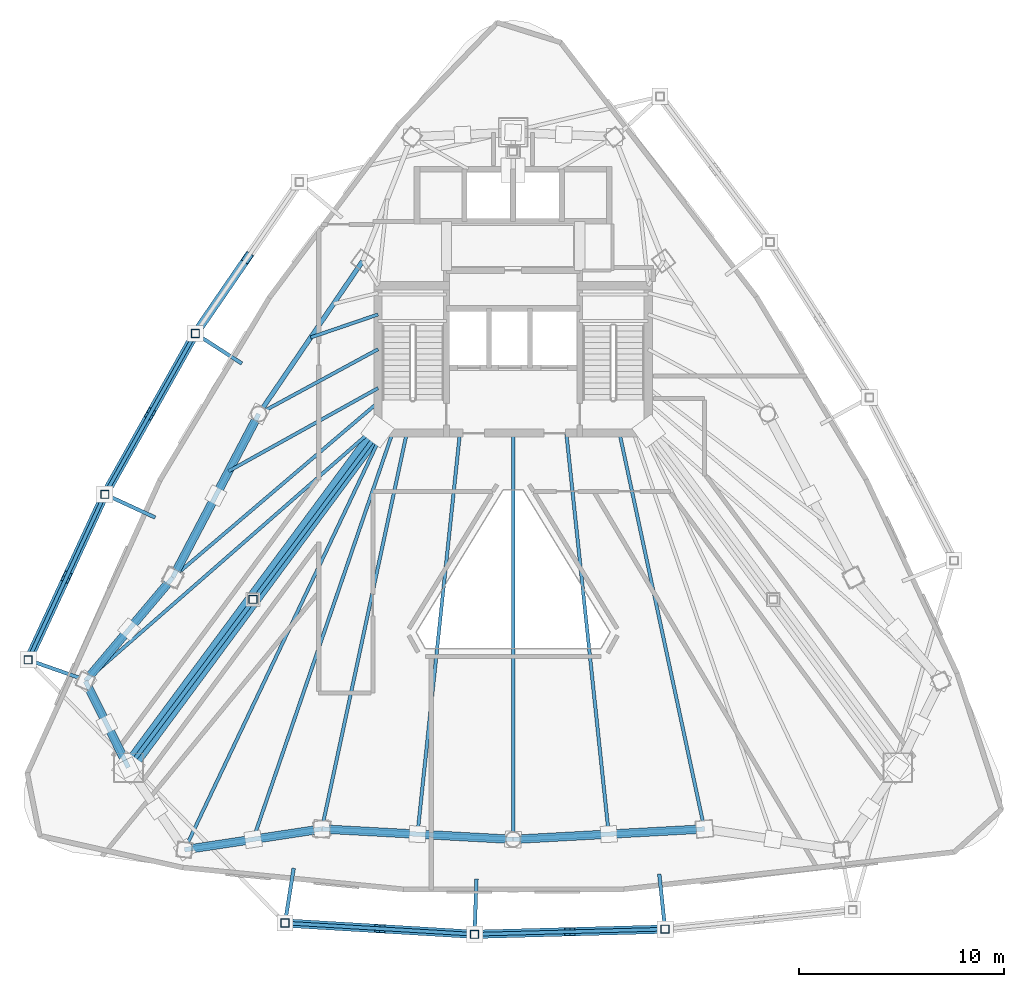
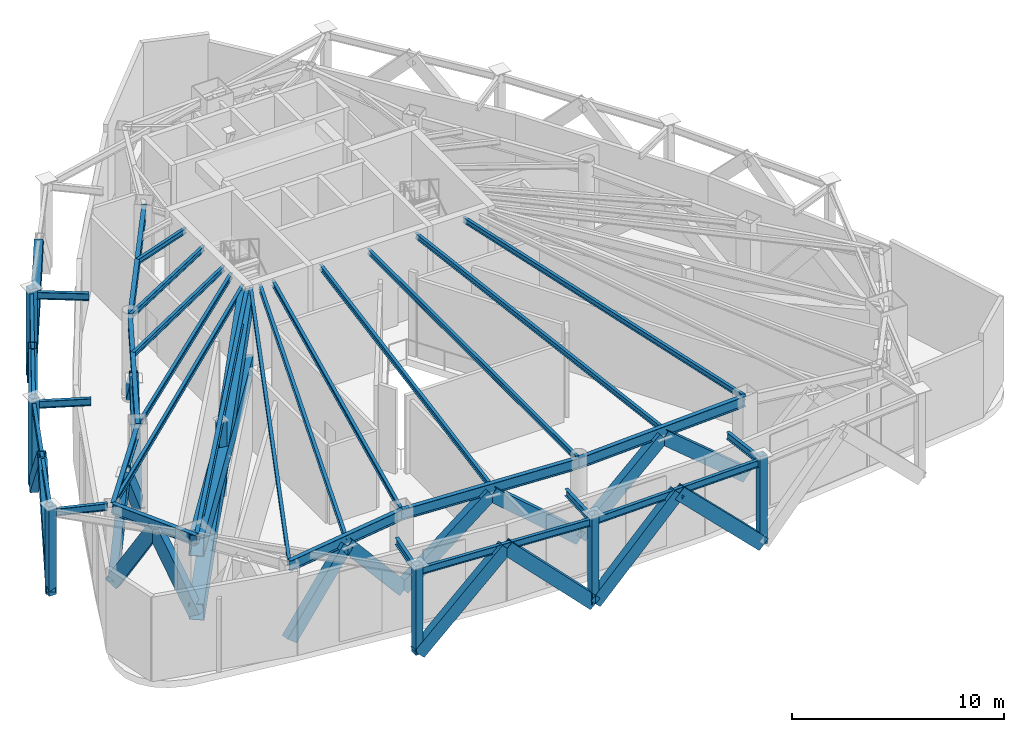
# One storey, part 2 of 10: 30 beams, 30 members.
"""IFC4 building model written with IfcOpenShell, lengths in metres."""

from ifc_helpers import new_model, si_unit, direction, frame, origin, origin_2d, place, context, subcontext, project, spatial, hollow_rectangle, i_section, extrude, material, material_profile, profile_set, type_object, element, save


model = new_model("IFC4")

# Units and contexts
model_context = context("Model", 3, precision=1e-05, world=origin(), true_north=direction((0.0, 1.0)))
body_context = subcontext(model_context, "Body", "Model", "MODEL_VIEW")
ifc_project = project(units=[si_unit("LENGTHUNIT", "METRE"), si_unit("AREAUNIT", "SQUARE_METRE"), si_unit("VOLUMEUNIT", "CUBIC_METRE"), si_unit("PLANEANGLEUNIT", "RADIAN"), si_unit("MASSUNIT", "GRAM", prefix="KILO")], contexts=[model_context])

# Site, building, storey
site_placement = place(None, origin())
site = spatial("IfcSite", under=ifc_project, at=site_placement, CompositionType="ELEMENT")
building_placement = place(site_placement, origin())
building = spatial("IfcBuilding", under=site, at=building_placement, Name="Orvanel Arch Residences", CompositionType="ELEMENT")
storey_placement = place(building_placement, frame((0.0, 0.0, 191.300048828125)))
storey = spatial("IfcBuildingStorey", under=building, at=storey_placement, Name="L54", CompositionType="ELEMENT", Elevation=191.300048828125)

# Beams
ifc_material_1 = material(Name="Structural steel AS/NZS 3679.1 Grade 300 (300 MPa)", Category="steel")
ifc_material_profile_1 = material_profile(ifc_material_1, i_section(OverallWidth=0.208984375, OverallDepth=0.532958984375, WebThickness=0.01025390625, FlangeThickness=0.015625, at=origin_2d()), Name="530UB92.4")
ifc_profile_set_1 = profile_set([ifc_material_profile_1], Name="Structural steel AS/NZS 3679.1 Grade 300 (300 MPa)")
beam_type_1 = type_object("IfcBeamType", Name="BG-530UB", PredefinedType="BEAM", material=ifc_profile_set_1)
beam_1_placement = place(storey_placement, frame((26.375, 26.675048828125, 4.593017578125), z_axis=(-0.597893733742, -0.801575375839, 0.0), x_axis=(0.801575375839, -0.597893733742, 0.0)))
element("IfcBeam", 1, at=beam_1_placement, inside=storey, type_object=beam_type_1, Name="L54 South-West Radial Girder", PredefinedType="BEAM", context=body_context, shape_type="SweptSolid", body=[
    extrude(i_section(OverallWidth=0.208984375, OverallDepth=0.532958984375, WebThickness=0.01025390625, FlangeThickness=0.015625, at=origin_2d()), origin(), (0.0, 0.0, 1.0), 20.36474609375),
])
ifc_material_profile_2 = material_profile(ifc_material_1, i_section(OverallWidth=0.1650390625, OverallDepth=0.303955078125, WebThickness=0.006103515625, FlangeThickness=0.01025390625, at=origin_2d()), Name="310UB40.4")
ifc_profile_set_2 = profile_set([ifc_material_profile_2], Name="Structural steel AS/NZS 3679.1 Grade 300 (300 MPa)")
beam_type_2 = type_object("IfcBeamType", Name="BJ-310UB", PredefinedType="JOIST", material=ifc_profile_set_2)
beam_2_placement = place(storey_placement, frame((26.39990234375, 30.800048828125, 4.7080078125), z_axis=(-0.87925534649, -0.476350748576, 0.0), x_axis=(0.476350748576, -0.87925534649, 0.0)))
element("IfcBeam", 2, at=beam_2_placement, inside=storey, type_object=beam_type_2, Name="L54 NW Wing Floor Joist", PredefinedType="JOIST", context=body_context, shape_type="SweptSolid", body=[
    extrude(i_section(OverallWidth=0.1650390625, OverallDepth=0.303955078125, WebThickness=0.006103515625, FlangeThickness=0.01025390625, at=origin_2d()), origin(), (0.0, 0.0, 1.0), 6.631591796875),
])
beam_3_placement = place(storey_placement, frame((26.39990234375, 28.199951171875, 4.7080078125), z_axis=(-0.760821315761, -0.648961420644, 0.0), x_axis=(0.648961420644, -0.760821315761, 0.0)))
element("IfcBeam", 3, at=beam_3_placement, inside=storey, type_object=beam_type_2, Name="L54 W Wing Floor Joist", PredefinedType="JOIST", context=body_context, shape_type="SweptSolid", body=[
    extrude(i_section(OverallWidth=0.1650390625, OverallDepth=0.303955078125, WebThickness=0.006103515625, FlangeThickness=0.01025390625, at=origin_2d()), origin(), (0.0, 0.0, 1.0), 13.18701171875),
])
for number, where, z_axis, x_axis, name in (
    (4, (27.800048828125, 26.699951171875, 4.7080078125), (-0.209808012425, -0.977742603103, 0.0), (0.977742603103, -0.209808012425, 0.0), "L54 SW Wing Floor Joist"),
    (5, (38.199951171875, 26.699951171875, 4.7080078125), (0.209808012425, -0.977742603103, 0.0), (0.977742603103, 0.209808012425, 0.0), "L54 SE Wing Floor Joist"),
):
    element("IfcBeam", number, at=place(storey_placement, frame(where, z_axis=z_axis, x_axis=x_axis)), inside=storey, type_object=beam_type_2, Name=name, PredefinedType="JOIST", context=body_context, shape_type="SweptSolid", body=[
        extrude(i_section(OverallWidth=0.1650390625, OverallDepth=0.303955078125, WebThickness=0.006103515625, FlangeThickness=0.01025390625, at=origin_2d()), origin(), (0.0, 0.0, 1.0), 19.785400390625),
    ])
beam_4_placement = place(storey_placement, frame((33.0, 26.699951171875, 4.7080078125), z_axis=(0.0, -1.0, 0.0), x_axis=(1.0, 0.0, 0.0)))
element("IfcBeam", 6, at=beam_4_placement, inside=storey, type_object=beam_type_2, Name="L54 SSW Wing Floor Joist", PredefinedType="JOIST", context=body_context, shape_type="SweptSolid", body=[
    extrude(i_section(OverallWidth=0.1650390625, OverallDepth=0.303955078125, WebThickness=0.006103515625, FlangeThickness=0.01025390625, at=origin_2d()), origin(), (0.0, 0.0, 1.0), 19.85595703125),
])
beam_5_placement = place(storey_placement, frame((26.39990234375, 32.5, 4.7080078125), z_axis=(-0.946441958332, -0.322873999431, 0.0), x_axis=(0.322873999431, -0.946441958332, 0.0)))
element("IfcBeam", 7, at=beam_5_placement, inside=storey, type_object=beam_type_2, Name="L54 WNW Wing Floor Joist", PredefinedType="JOIST", context=body_context, shape_type="SweptSolid", body=[
    extrude(i_section(OverallWidth=0.1650390625, OverallDepth=0.303955078125, WebThickness=0.006103515625, FlangeThickness=0.01025390625, at=origin_2d()), origin(), (0.0, 0.0, 1.0), 3.478271484375),
])
for number, where, z_axis, x_axis, name in (
    (8, (30.39990234375, 26.699951171875, 4.7080078125), (-0.105277340935, -0.994442900063, 0.0), (0.994442900063, -0.105277340935, 0.0), "L54 WSW2 Wing Floor Joist"),
    (9, (35.60009765625, 26.699951171875, 4.7080078125), (0.105277340935, -0.994442900063, 0.0), (0.994442900063, 0.105277340935, 0.0), "L54 ESE2 Wing Floor Joist"),
):
    element("IfcBeam", number, at=place(storey_placement, frame(where, z_axis=z_axis, x_axis=x_axis)), inside=storey, type_object=beam_type_2, Name=name, PredefinedType="JOIST", context=body_context, shape_type="SweptSolid", body=[
        extrude(i_section(OverallWidth=0.1650390625, OverallDepth=0.303955078125, WebThickness=0.006103515625, FlangeThickness=0.01025390625, at=origin_2d()), origin(), (0.0, 0.0, 1.0), 19.70947265625),
    ])
beam_6_placement = place(storey_placement, frame((26.39990234375, 27.10009765625, 4.7080078125), z_axis=(-0.752493154183, -0.658600070534, 0.0), x_axis=(0.658600070534, -0.752493154183, 0.0)))
element("IfcBeam", 10, at=beam_6_placement, inside=storey, type_object=beam_type_2, Name="L54 MW Wing Floor Joist", PredefinedType="JOIST", context=body_context, shape_type="SweptSolid", body=[
    extrude(i_section(OverallWidth=0.1650390625, OverallDepth=0.303955078125, WebThickness=0.006103515625, FlangeThickness=0.01025390625, at=origin_2d()), origin(), (0.0, 0.0, 1.0), 19.010009765625),
])
beam_7_placement = place(storey_placement, frame((26.60009765625, 26.699951171875, 4.7080078125), z_axis=(-0.428614365266, -0.903487534993, 0.0), x_axis=(0.903487534993, -0.428614365266, 0.0)))
element("IfcBeam", 11, at=beam_7_placement, inside=storey, type_object=beam_type_2, Name="L54 MSW Wing Floor Joist", PredefinedType="JOIST", context=body_context, shape_type="SweptSolid", body=[
    extrude(i_section(OverallWidth=0.1650390625, OverallDepth=0.303955078125, WebThickness=0.006103515625, FlangeThickness=0.01025390625, at=origin_2d()), origin(), (0.0, 0.0, 1.0), 22.535888671875),
])
beam_8_placement = place(storey_placement, frame((26.39990234375, 28.89990234375, 4.7080078125), z_axis=(-0.87404697606, -0.485841418202, 0.0), x_axis=(0.485841418202, -0.87404697606, 0.0)))
element("IfcBeam", 12, at=beam_8_placement, inside=storey, type_object=beam_type_2, Name="L54 CTW Wing Floor Joist", PredefinedType="JOIST", context=body_context, shape_type="SweptSolid", body=[
    extrude(i_section(OverallWidth=0.1650390625, OverallDepth=0.303955078125, WebThickness=0.006103515625, FlangeThickness=0.01025390625, at=origin_2d()), origin(), (0.0, 0.0, 1.0), 8.354248046875),
])
beam_9_placement = place(storey_placement, frame((27.10009765625, 26.699951171875, 4.7080078125), z_axis=(-0.324257108963, -0.945968988544, 0.0), x_axis=(0.945968988544, -0.324257108963, 0.0)))
element("IfcBeam", 13, at=beam_9_placement, inside=storey, type_object=beam_type_2, Name="L54 JADD1 Wing Floor Joist", PredefinedType="JOIST", context=body_context, shape_type="SweptSolid", body=[
    extrude(i_section(OverallWidth=0.1650390625, OverallDepth=0.303955078125, WebThickness=0.006103515625, FlangeThickness=0.01025390625, at=origin_2d()), origin(), (0.0, 0.0, 1.0), 20.987060546875),
])

# Members
ifc_material_2 = material(Name="Structural steel AS/NZS 3678 Grade 350", Category="steel")
ifc_material_profile_3 = material_profile(ifc_material_2, hollow_rectangle(XDim=0.419921875, YDim=0.719970703125, WallThickness=0.02490234375, at=origin_2d()), Name="RHS720x420x25")
ifc_profile_set_3 = profile_set([ifc_material_profile_3], Name="Structural steel AS/NZS 3678 Grade 350")
member_type_1 = type_object("IfcMemberType", Name="BR-720RHS", PredefinedType="BRACE", material=ifc_profile_set_3)
for number, where, z_axis, x_axis, name in (
    (14, (16.366943359375, 19.64208984375, 0.300048828125), (-0.410701245615, -0.486654453456, 0.771033027686), (0.764224490659, -0.644950329775, 0.0), "L54 Belt-Truss Chevron 01.1"),
    (15, (12.094970703125, 14.580078125, 0.300048828125), (0.410701245615, 0.486654453456, 0.771033027686), (-0.764224490659, 0.644950329775, 0.0), "L54 Belt-Truss Chevron 01.2"),
):
    element("IfcMember", number, at=place(storey_placement, frame(where, z_axis=z_axis, x_axis=x_axis)), inside=storey, type_object=member_type_1, Name=name, PredefinedType="BRACE", context=body_context, shape_type="SweptSolid", body=[
        extrude(hollow_rectangle(XDim=0.419921875, YDim=0.719970703125, WallThickness=0.02490234375, at=origin_2d()), origin(), (0.0, 0.0, 1.0), 5.200927734375),
    ])
member_1_placement = place(storey_placement, frame((12.094970703125, 14.580078125, 0.300048828125), z_axis=(0.226062238647, -0.454275452413, 0.861701617494), x_axis=(0.895273400092, 0.44551715914, 0.0)))
element("IfcMember", 16, at=member_1_placement, inside=storey, type_object=member_type_1, Name="L54 Belt-Truss Chevron 02.1", PredefinedType="BRACE", context=body_context, shape_type="SweptSolid", body=[
    extrude(hollow_rectangle(XDim=0.419921875, YDim=0.719970703125, WallThickness=0.02490234375, at=origin_2d()), origin(), (0.0, 0.0, 1.0), 4.653564453125),
])
member_2_placement = place(storey_placement, frame((14.198974609375, 10.35107421875, 0.300048828125), z_axis=(-0.22604068618, 0.454441973631, 0.861619464029), x_axis=(-0.89535544198, -0.445352256665, 0.0)))
element("IfcMember", 17, at=member_2_placement, inside=storey, type_object=member_type_1, Name="L54 Belt-Truss Chevron 02.2", PredefinedType="BRACE", context=body_context, shape_type="SweptSolid", body=[
    extrude(hollow_rectangle(XDim=0.419921875, YDim=0.719970703125, WallThickness=0.02490234375, at=origin_2d()), origin(), (0.0, 0.0, 1.0), 4.654052734375),
])
for number, where, z_axis, x_axis, name in (
    (18, (16.94091796875, 6.339111328125, 0.300048828125), (0.6385695785, 0.096682539182, 0.763466685607), (-0.149698779423, 0.988731649862, 0.0), "L54 Belt-Truss Chevron 04.1"),
    (19, (23.64892578125, 7.35498046875, 0.300048828125), (-0.6385667081, -0.09672858637, 0.763463253788), (0.149769136012, -0.988720994972, 0.0), "L54 Belt-Truss Chevron 04.2"),
):
    element("IfcMember", number, at=place(storey_placement, frame(where, z_axis=z_axis, x_axis=x_axis)), inside=storey, type_object=member_type_1, Name=name, PredefinedType="BRACE", context=body_context, shape_type="SweptSolid", body=[
        extrude(hollow_rectangle(XDim=0.419921875, YDim=0.719970703125, WallThickness=0.02490234375, at=origin_2d()), origin(), (0.0, 0.0, 1.0), 5.25244140625),
    ])
member_3_placement = place(storey_placement, frame((23.64892578125, 7.35498046875, 0.300048828125), z_axis=(0.758448132413, -0.041341818527, 0.650420851819), x_axis=(0.054427635214, 0.998517717682, 0.0)))
element("IfcMember", 20, at=member_3_placement, inside=storey, type_object=member_type_1, Name="L54 Belt-Truss Chevron 05.1", PredefinedType="BRACE", context=body_context, shape_type="SweptSolid", body=[
    extrude(hollow_rectangle(XDim=0.419921875, YDim=0.719970703125, WallThickness=0.02490234375, at=origin_2d()), origin(), (0.0, 0.0, 1.0), 6.165283203125),
])
for number, where, z_axis, x_axis, name in (
    (21, (33.0, 6.843994140625, 0.300048828125), (-0.758374615755, 0.041544465608, 0.650493658352), (-0.054698915632, -0.998502893651, 0.0), "L54 Belt-Truss Chevron 05.2"),
    (22, (33.0, 6.843994140625, 0.300048828125), (0.758374615755, 0.041544465608, 0.650493658352), (-0.054698915632, 0.998502893651, 0.0), "L54 Belt-Truss Chevron 06.1"),
):
    element("IfcMember", number, at=place(storey_placement, frame(where, z_axis=z_axis, x_axis=x_axis)), inside=storey, type_object=member_type_1, Name=name, PredefinedType="BRACE", context=body_context, shape_type="SweptSolid", body=[
        extrude(hollow_rectangle(XDim=0.419921875, YDim=0.719970703125, WallThickness=0.02490234375, at=origin_2d()), origin(), (0.0, 0.0, 1.0), 6.16455078125),
    ])
member_4_placement = place(storey_placement, frame((42.35107421875, 7.35498046875, 0.300048828125), z_axis=(-0.758448132413, -0.041341818527, 0.650420851819), x_axis=(0.054427635214, -0.998517717682, 0.0)))
element("IfcMember", 23, at=member_4_placement, inside=storey, type_object=member_type_1, Name="L54 Belt-Truss Chevron 06.2", PredefinedType="BRACE", context=body_context, shape_type="SweptSolid", body=[
    extrude(hollow_rectangle(XDim=0.419921875, YDim=0.719970703125, WallThickness=0.02490234375, at=origin_2d()), origin(), (0.0, 0.0, 1.0), 6.165283203125),
])
member_5_placement = place(storey_placement, frame((20.569091796875, 27.64111328125, 0.300048828125), z_axis=(-0.347834801435, -0.662042069196, 0.66386086609), x_axis=(0.885253281653, -0.465109263853, 0.0)))
element("IfcMember", 24, at=member_5_placement, inside=storey, type_object=member_type_1, Name="L54 Belt-Truss Chevron 18.1", PredefinedType="BRACE", context=body_context, shape_type="SweptSolid", body=[
    extrude(hollow_rectangle(XDim=0.419921875, YDim=0.719970703125, WallThickness=0.02490234375, at=origin_2d()), origin(), (0.0, 0.0, 1.0), 6.04052734375),
])
member_6_placement = place(storey_placement, frame((16.366943359375, 19.64208984375, 0.300048828125), z_axis=(0.347797573101, 0.662132865174, 0.663789813873), x_axis=(-0.885300033521, 0.465020269072, 0.0)))
element("IfcMember", 25, at=member_6_placement, inside=storey, type_object=member_type_1, Name="L54 Belt-Truss Chevron 18.2", PredefinedType="BRACE", context=body_context, shape_type="SweptSolid", body=[
    extrude(hollow_rectangle(XDim=0.419921875, YDim=0.719970703125, WallThickness=0.02490234375, at=origin_2d()), origin(), (0.0, 0.0, 1.0), 6.041015625),
])
ifc_material_profile_4 = material_profile(ifc_material_2, hollow_rectangle(XDim=0.419921875, YDim=0.719970703125, WallThickness=0.02490234375, at=origin_2d()), Name="RHS720x420x25")
ifc_profile_set_4 = profile_set([ifc_material_profile_4], Name="Structural steel AS/NZS 3678 Grade 350")
member_type_2 = type_object("IfcMemberType", Name="BR-720RHS-EXT", PredefinedType="BRACE", material=ifc_profile_set_4)
member_7_placement = place(storey_placement, frame((17.467041015625, 31.569091796875, 0.0), z_axis=(0.393179947438, 0.572148516603, 0.719760796294), x_axis=(-0.824157677883, 0.566360417037, 0.0)))
element("IfcMember", 26, at=member_7_placement, inside=storey, type_object=member_type_2, Name="L54 Exterior Sky-Garden V-Frame Chevron F1B1.2", PredefinedType="BRACE", context=body_context, shape_type="SweptSolid", body=[
    extrude(hollow_rectangle(XDim=0.419921875, YDim=0.719970703125, WallThickness=0.02490234375, at=origin_2d()), origin(), (0.0, 0.0, 1.0), 6.47021484375),
])
member_8_placement = place(storey_placement, frame((17.467041015625, 31.569091796875, 0.0), z_axis=(-0.340932567299, -0.606311585106, 0.718436668275), x_axis=(0.871647829885, -0.490132696988, 0.0)))
element("IfcMember", 27, at=member_8_placement, inside=storey, type_object=member_type_2, Name="L54 Exterior Sky-Garden V-Frame Chevron F1B2.1", PredefinedType="BRACE", context=body_context, shape_type="SweptSolid", body=[
    extrude(hollow_rectangle(XDim=0.419921875, YDim=0.719970703125, WallThickness=0.02490234375, at=origin_2d()), origin(), (0.0, 0.0, 1.0), 6.482177734375),
])
member_9_placement = place(storey_placement, frame((13.047119140625, 23.7099609375, 0.0), z_axis=(0.34097149558, 0.606192474411, 0.71851870064), x_axis=(-0.87158276896, 0.490248382814, 0.0)))
element("IfcMember", 28, at=member_9_placement, inside=storey, type_object=member_type_2, Name="L54 Exterior Sky-Garden V-Frame Chevron F1B2.2", PredefinedType="BRACE", context=body_context, shape_type="SweptSolid", body=[
    extrude(hollow_rectangle(XDim=0.419921875, YDim=0.719970703125, WallThickness=0.02490234375, at=origin_2d()), origin(), (0.0, 0.0, 1.0), 6.4814453125),
])
member_10_placement = place(storey_placement, frame((13.047119140625, 23.7099609375, 0.0), z_axis=(-0.290636590557, -0.627617525413, 0.722237228357), x_axis=(0.907426707299, -0.420210388829, 0.0)))
element("IfcMember", 29, at=member_10_placement, inside=storey, type_object=member_type_2, Name="L54 Exterior Sky-Garden V-Frame Chevron F1B3.1", PredefinedType="BRACE", context=body_context, shape_type="SweptSolid", body=[
    extrude(hollow_rectangle(XDim=0.419921875, YDim=0.719970703125, WallThickness=0.02490234375, at=origin_2d()), origin(), (0.0, 0.0, 1.0), 6.447998046875),
])
member_11_placement = place(storey_placement, frame((9.299072265625, 15.616943359375, 0.0), z_axis=(0.290657310524, 0.627548672136, 0.722288717854), x_axis=(-0.907397701574, 0.420273019808, 0.0)))
element("IfcMember", 30, at=member_11_placement, inside=storey, type_object=member_type_2, Name="L54 Exterior Sky-Garden V-Frame Chevron F1B3.2", PredefinedType="BRACE", context=body_context, shape_type="SweptSolid", body=[
    extrude(hollow_rectangle(XDim=0.419921875, YDim=0.719970703125, WallThickness=0.02490234375, at=origin_2d()), origin(), (0.0, 0.0, 1.0), 6.447509765625),
])
member_12_placement = place(storey_placement, frame((21.85107421875, 2.758056640625, 0.0), z_axis=(0.704567615552, -0.042002212376, 0.708392750719), x_axis=(0.059508519881, 0.99822779768, 0.0)))
element("IfcMember", 31, at=member_12_placement, inside=storey, type_object=member_type_2, Name="L54 Exterior Sky-Garden V-Frame Chevron F2B1.1", PredefinedType="BRACE", context=body_context, shape_type="SweptSolid", body=[
    extrude(hollow_rectangle(XDim=0.419921875, YDim=0.719970703125, WallThickness=0.02490234375, at=origin_2d()), origin(), (0.0, 0.0, 1.0), 6.573974609375),
])
member_13_placement = place(storey_placement, frame((31.115966796875, 2.205078125, 0.0), z_axis=(-0.704657804903, 0.042107917519, 0.708296760738), x_axis=(-0.059650141601, -0.998219344937, 0.0)))
element("IfcMember", 32, at=member_13_placement, inside=storey, type_object=member_type_2, Name="L54 Exterior Sky-Garden V-Frame Chevron F2B1.2", PredefinedType="BRACE", context=body_context, shape_type="SweptSolid", body=[
    extrude(hollow_rectangle(XDim=0.419921875, YDim=0.719970703125, WallThickness=0.02490234375, at=origin_2d()), origin(), (0.0, 0.0, 1.0), 6.574951171875),
])
member_14_placement = place(storey_placement, frame((31.115966796875, 2.205078125, 0.0), z_axis=(0.706903293221, 0.019126532395, 0.707051560914), x_axis=(-0.027046889499, 0.999634165967, 0.0)))
element("IfcMember", 33, at=member_14_placement, inside=storey, type_object=member_type_2, Name="L54 Exterior Sky-Garden V-Frame Chevron F2B2.1", PredefinedType="BRACE", context=body_context, shape_type="SweptSolid", body=[
    extrude(hollow_rectangle(XDim=0.419921875, YDim=0.719970703125, WallThickness=0.02490234375, at=origin_2d()), origin(), (0.0, 0.0, 1.0), 6.58642578125),
])
member_15_placement = place(storey_placement, frame((40.427001953125, 2.45703125, 0.0), z_axis=(-0.70682910505, -0.019128537169, 0.707125671518), x_axis=(0.027052559421, -0.999634012541, 0.0)))
element("IfcMember", 34, at=member_15_placement, inside=storey, type_object=member_type_2, Name="L54 Exterior Sky-Garden V-Frame Chevron F2B2.2", PredefinedType="BRACE", context=body_context, shape_type="SweptSolid", body=[
    extrude(hollow_rectangle(XDim=0.419921875, YDim=0.719970703125, WallThickness=0.02490234375, at=origin_2d()), origin(), (0.0, 0.0, 1.0), 6.585693359375),
])

# Beams
ifc_material_profile_5 = material_profile(ifc_material_1, i_section(OverallWidth=0.177978515625, OverallDepth=0.406005859375, WebThickness=0.0078125, FlangeThickness=0.0126953125, at=origin_2d()), Name="410UB59.7")
ifc_profile_set_5 = profile_set([ifc_material_profile_5], Name="Structural steel AS/NZS 3679.1 Grade 300 (300 MPa)")
beam_type_3 = type_object("IfcBeamType", Name="OB-410UB-EXT", PredefinedType="SPANDREL", material=ifc_profile_set_5)
beam_10_placement = place(storey_placement, frame((19.740966796875, 30.10107421875, 4.656982421875), z_axis=(-0.840133572131, 0.542379554351, 0.0), x_axis=(-0.542379554351, -0.840133572131, 0.0)))
element("IfcBeam", 35, at=beam_10_placement, inside=storey, type_object=beam_type_3, Name="L54 Outer Frame Radial Tie Beam 02", PredefinedType="SPANDREL", context=body_context, shape_type="SweptSolid", body=[
    extrude(i_section(OverallWidth=0.177978515625, OverallDepth=0.406005859375, WebThickness=0.0078125, FlangeThickness=0.0126953125, at=origin_2d()), origin(), (0.0, 0.0, 1.0), 2.70654296875),
])
beam_11_placement = place(storey_placement, frame((17.467041015625, 31.569091796875, 4.656982421875), z_axis=(-0.490190534155, -0.87161530518, 0.0), x_axis=(0.87161530518, -0.490190534155, 0.0)))
element("IfcBeam", 36, at=beam_11_placement, inside=storey, type_object=beam_type_3, Name="L54 Outer Perimeter Floor Ring Beam 02", PredefinedType="SPANDREL", context=body_context, shape_type="SweptSolid", body=[
    extrude(i_section(OverallWidth=0.177978515625, OverallDepth=0.406005859375, WebThickness=0.0078125, FlangeThickness=0.0126953125, at=origin_2d()), origin(), (0.0, 0.0, 1.0), 9.016845703125),
])
beam_12_placement = place(storey_placement, frame((15.510009765625, 22.573974609375, 4.656982421875), z_axis=(-0.908062104995, 0.418835544661, 0.0), x_axis=(-0.418835544661, -0.908062104995, 0.0)))
element("IfcBeam", 37, at=beam_12_placement, inside=storey, type_object=beam_type_3, Name="L54 Outer Frame Radial Tie Beam 03", PredefinedType="SPANDREL", context=body_context, shape_type="SweptSolid", body=[
    extrude(i_section(OverallWidth=0.177978515625, OverallDepth=0.406005859375, WebThickness=0.0078125, FlangeThickness=0.0126953125, at=origin_2d()), origin(), (0.0, 0.0, 1.0), 2.712158203125),
])
beam_13_placement = place(storey_placement, frame((13.047119140625, 23.7099609375, 4.656982421875), z_axis=(-0.420241702235, -0.907412206058, 0.0), x_axis=(0.907412206058, -0.420241702235, 0.0)))
element("IfcBeam", 38, at=beam_13_placement, inside=storey, type_object=beam_type_3, Name="L54 Outer Perimeter Floor Ring Beam 03", PredefinedType="SPANDREL", context=body_context, shape_type="SweptSolid", body=[
    extrude(i_section(OverallWidth=0.177978515625, OverallDepth=0.406005859375, WebThickness=0.0078125, FlangeThickness=0.0126953125, at=origin_2d()), origin(), (0.0, 0.0, 1.0), 8.918701171875),
])
beam_14_placement = place(storey_placement, frame((11.8720703125, 14.716064453125, 4.656982421875), z_axis=(-0.94382065333, 0.33045812798, 0.0), x_axis=(-0.33045812798, -0.94382065333, 0.0)))
element("IfcBeam", 39, at=beam_14_placement, inside=storey, type_object=beam_type_3, Name="L54 Outer Frame Radial Tie Beam 04", PredefinedType="SPANDREL", context=body_context, shape_type="SweptSolid", body=[
    extrude(i_section(OverallWidth=0.177978515625, OverallDepth=0.406005859375, WebThickness=0.0078125, FlangeThickness=0.0126953125, at=origin_2d()), origin(), (0.0, 0.0, 1.0), 2.72607421875),
])
beam_15_placement = place(storey_placement, frame((22.27490234375, 5.43798828125, 4.656982421875), z_axis=(-0.156207463616, -0.987724267349, 0.0), x_axis=(0.987724267349, -0.156207463616, 0.0)))
element("IfcBeam", 40, at=beam_15_placement, inside=storey, type_object=beam_type_3, Name="L54 Outer Frame Radial Tie Beam 05", PredefinedType="SPANDREL", context=body_context, shape_type="SweptSolid", body=[
    extrude(i_section(OverallWidth=0.177978515625, OverallDepth=0.406005859375, WebThickness=0.0078125, FlangeThickness=0.0126953125, at=origin_2d()), origin(), (0.0, 0.0, 1.0), 2.713134765625),
])
beam_16_placement = place(storey_placement, frame((21.85107421875, 2.758056640625, 4.656982421875), z_axis=(0.998223573246, -0.05957934052, 0.0), x_axis=(0.05957934052, 0.998223573246, 0.0)))
element("IfcBeam", 41, at=beam_16_placement, inside=storey, type_object=beam_type_3, Name="L54 Outer Perimeter Floor Ring Beam 05", PredefinedType="SPANDREL", context=body_context, shape_type="SweptSolid", body=[
    extrude(i_section(OverallWidth=0.177978515625, OverallDepth=0.406005859375, WebThickness=0.0078125, FlangeThickness=0.0126953125, at=origin_2d()), origin(), (0.0, 0.0, 1.0), 9.281494140625),
])
beam_17_placement = place(storey_placement, frame((31.2080078125, 4.906982421875, 4.656982421875), z_axis=(-0.034045490843, -0.999420284241, 0.0), x_axis=(0.999420284241, -0.034045490843, 0.0)))
element("IfcBeam", 42, at=beam_17_placement, inside=storey, type_object=beam_type_3, Name="L54 Outer Frame Radial Tie Beam 06", PredefinedType="SPANDREL", context=body_context, shape_type="SweptSolid", body=[
    extrude(i_section(OverallWidth=0.177978515625, OverallDepth=0.406005859375, WebThickness=0.0078125, FlangeThickness=0.0126953125, at=origin_2d()), origin(), (0.0, 0.0, 1.0), 2.703369140625),
])
beam_18_placement = place(storey_placement, frame((31.115966796875, 2.205078125, 4.656982421875), z_axis=(0.999634089266, 0.027049724163, 0.0), x_axis=(-0.027049724163, 0.999634089266, 0.0)))
element("IfcBeam", 43, at=beam_18_placement, inside=storey, type_object=beam_type_3, Name="L54 Outer Perimeter Floor Ring Beam 06", PredefinedType="SPANDREL", context=body_context, shape_type="SweptSolid", body=[
    extrude(i_section(OverallWidth=0.177978515625, OverallDepth=0.406005859375, WebThickness=0.0078125, FlangeThickness=0.0126953125, at=origin_2d()), origin(), (0.0, 0.0, 1.0), 9.314453125),
])
beam_19_placement = place(storey_placement, frame((40.14306640625, 5.14990234375, 4.656982421875), z_axis=(0.104858437456, -0.994487158335, 0.0), x_axis=(0.994487158335, 0.104858437456, 0.0)))
element("IfcBeam", 44, at=beam_19_placement, inside=storey, type_object=beam_type_3, Name="L54 Outer Frame Radial Tie Beam 07", PredefinedType="SPANDREL", context=body_context, shape_type="SweptSolid", body=[
    extrude(i_section(OverallWidth=0.177978515625, OverallDepth=0.406005859375, WebThickness=0.0078125, FlangeThickness=0.0126953125, at=origin_2d()), origin(), (0.0, 0.0, 1.0), 2.707763671875),
])

# Members
ifc_material_profile_6 = material_profile(ifc_material_2, hollow_rectangle(XDim=0.719970703125, YDim=1.10009765625, WallThickness=0.035888671875, at=origin_2d()), Name="BOX1100x720x36")
ifc_profile_set_6 = profile_set([ifc_material_profile_6], Name="Structural steel AS/NZS 3678 Grade 350")
member_type_3 = type_object("IfcMemberType", Name="OR-1100BOX", PredefinedType="BRACE", material=ifc_profile_set_6)
for number, where, z_axis, x_axis, name in (
    (45, (26.375, 26.800048828125, 0.39990234375), (-0.584912228847, -0.790176276112, 0.183027695213), (0.803753474747, -0.594962479348, 0.0), "L54 Core Outrigger Brace 2-1"),
    (46, (26.375, 26.800048828125, 4.2099609375), (-0.584912228847, -0.790176276112, -0.183027695213), (0.803753474747, -0.594962479348, 0.0), "L54 Core Outrigger Brace 2-2"),
):
    element("IfcMember", number, at=place(storey_placement, frame(where, z_axis=z_axis, x_axis=x_axis)), inside=storey, type_object=member_type_3, Name=name, PredefinedType="BRACE", context=body_context, shape_type="SweptSolid", body=[
        extrude(hollow_rectangle(XDim=0.719970703125, YDim=1.10009765625, WallThickness=0.035888671875, at=origin_2d()), origin(), (0.0, 0.0, 1.0), 20.81689453125),
    ])

# Beams
ifc_material_profile_7 = material_profile(ifc_material_1, i_section(OverallWidth=0.22900390625, OverallDepth=0.612060546875, WebThickness=0.011962890625, FlangeThickness=0.01953125, at=origin_2d()), Name="610UB125")
ifc_profile_set_7 = profile_set([ifc_material_profile_7], Name="Structural steel AS/NZS 3679.1 Grade 300 (300 MPa)")
beam_type_4 = type_object("IfcBeamType", Name="SP-610UB", PredefinedType="SPANDREL", material=ifc_profile_set_7)
beam_20_placement = place(storey_placement, frame((16.366943359375, 19.64208984375, 4.553955078125), z_axis=(-0.644950329775, -0.764224490659, 0.0), x_axis=(0.764224490659, -0.644950329775, 0.0)))
element("IfcBeam", 47, at=beam_20_placement, inside=storey, type_object=beam_type_4, Name="L54 Perimeter Spandrel Beam 01", PredefinedType="SPANDREL", context=body_context, shape_type="SweptSolid", body=[
    extrude(i_section(OverallWidth=0.22900390625, OverallDepth=0.612060546875, WebThickness=0.011962890625, FlangeThickness=0.01953125, at=origin_2d()), origin(), (0.0, 0.0, 1.0), 6.623779296875),
])
beam_21_placement = place(storey_placement, frame((12.094970703125, 14.580078125, 4.553955078125), z_axis=(0.44543469453, -0.895314432425, 0.0), x_axis=(0.895314432425, 0.44543469453, 0.0)))
element("IfcBeam", 48, at=beam_21_placement, inside=storey, type_object=beam_type_4, Name="L54 Perimeter Spandrel Beam 02", PredefinedType="SPANDREL", context=body_context, shape_type="SweptSolid", body=[
    extrude(i_section(OverallWidth=0.22900390625, OverallDepth=0.612060546875, WebThickness=0.011962890625, FlangeThickness=0.01953125, at=origin_2d()), origin(), (0.0, 0.0, 1.0), 4.723388671875),
])
beam_22_placement = place(storey_placement, frame((16.94091796875, 6.339111328125, 4.553955078125), z_axis=(0.988726323014, 0.149733958002, 0.0), x_axis=(-0.149733958002, 0.988726323014, 0.0)))
element("IfcBeam", 49, at=beam_22_placement, inside=storey, type_object=beam_type_4, Name="L54 Perimeter Spandrel Beam 04", PredefinedType="SPANDREL", context=body_context, shape_type="SweptSolid", body=[
    extrude(i_section(OverallWidth=0.22900390625, OverallDepth=0.612060546875, WebThickness=0.011962890625, FlangeThickness=0.01953125, at=origin_2d()), origin(), (0.0, 0.0, 1.0), 6.784423828125),
])
for number, where, z_axis, x_axis, name in (
    (50, (23.64892578125, 7.35498046875, 4.553955078125), (0.998510315598, -0.054563262768, 0.0), (0.054563262768, 0.998510315598, 0.0), "L54 Perimeter Spandrel Beam 05"),
    (51, (33.0, 6.843994140625, 4.553955078125), (0.998510315598, 0.054563262768, 0.0), (-0.054563262768, 0.998510315598, 0.0), "L54 Perimeter Spandrel Beam 06"),
):
    element("IfcBeam", number, at=place(storey_placement, frame(where, z_axis=z_axis, x_axis=x_axis)), inside=storey, type_object=beam_type_4, Name=name, PredefinedType="SPANDREL", context=body_context, shape_type="SweptSolid", body=[
        extrude(i_section(OverallWidth=0.22900390625, OverallDepth=0.612060546875, WebThickness=0.011962890625, FlangeThickness=0.01953125, at=origin_2d()), origin(), (0.0, 0.0, 1.0), 9.364990234375),
    ])
beam_23_placement = place(storey_placement, frame((25.64794921875, 35.113037109375, 4.553955078125), z_axis=(-0.562154793153, -0.827032035978, 0.0), x_axis=(0.827032035978, -0.562154793153, 0.0)))
element("IfcBeam", 52, at=beam_23_placement, inside=storey, type_object=beam_type_4, Name="L54 Perimeter Spandrel Beam 17", PredefinedType="SPANDREL", context=body_context, shape_type="SweptSolid", body=[
    extrude(i_section(OverallWidth=0.22900390625, OverallDepth=0.612060546875, WebThickness=0.011962890625, FlangeThickness=0.01953125, at=origin_2d()), origin(), (0.0, 0.0, 1.0), 9.03466796875),
])
beam_24_placement = place(storey_placement, frame((20.569091796875, 27.64111328125, 4.553955078125), z_axis=(-0.465064762793, -0.885276660942, 0.0), x_axis=(0.885276660942, -0.465064762793, 0.0)))
element("IfcBeam", 53, at=beam_24_placement, inside=storey, type_object=beam_type_4, Name="L54 Perimeter Spandrel Beam 18", PredefinedType="SPANDREL", context=body_context, shape_type="SweptSolid", body=[
    extrude(i_section(OverallWidth=0.22900390625, OverallDepth=0.612060546875, WebThickness=0.011962890625, FlangeThickness=0.01953125, at=origin_2d()), origin(), (0.0, 0.0, 1.0), 9.03564453125),
])

# Members
ifc_material_3 = material(Name="Structural steel AS/NZS 1163 C450L0 (Grade 450)", Category="steel")
ifc_material_profile_8 = material_profile(ifc_material_3, hollow_rectangle(XDim=0.39990234375, YDim=0.39990234375, WallThickness=0.01611328125, at=origin_2d()), Name="SHS400x400x16")
ifc_profile_set_8 = profile_set([ifc_material_profile_8], Name="Structural steel AS/NZS 1163 C450L0 (Grade 450)")
member_type_4 = type_object("IfcMemberType", Name="ST-400SHS", PredefinedType="STRUT", material=ifc_profile_set_8)
member_16_placement = place(storey_placement, frame((20.287109375, 18.575927734375, 0.0), z_axis=(0.0, 0.0, 1.0), x_axis=(1.0, 0.0, 0.0)))
element("IfcMember", 54, at=member_16_placement, inside=storey, type_object=member_type_4, Name="L54 Outrigger Vertical Web Strut 2", PredefinedType="STRUT", context=body_context, shape_type="SweptSolid", body=[
    extrude(hollow_rectangle(XDim=0.39990234375, YDim=0.39990234375, WallThickness=0.01611328125, at=origin_2d()), origin(), (0.0, 0.0, 1.0), 4.35986328125),
])
ifc_material_profile_9 = material_profile(ifc_material_3, hollow_rectangle(XDim=0.39990234375, YDim=0.39990234375, WallThickness=0.01611328125, at=origin_2d()), Name="SHS400x400x16")
ifc_profile_set_9 = profile_set([ifc_material_profile_9], Name="Structural steel AS/NZS 1163 C450L0 (Grade 450)")
member_type_5 = type_object("IfcMemberType", Name="ST-400SHS-EXT", PredefinedType="STRUT", material=ifc_profile_set_9)
for number, where, z_axis, x_axis, name in (
    (55, (17.467041015625, 31.569091796875, 0.0), (0.0, 0.0, 1.0), (1.0, 0.0, 0.0), "L54 Outer Perimeter Frame Post 02"),
    (56, (13.047119140625, 23.7099609375, 0.0), (0.0, 0.0, 1.0), (1.0, 0.0, 0.0), "L54 Outer Perimeter Frame Post 03"),
    (57, (9.299072265625, 15.616943359375, 0.0), (0.0, 0.0, 1.0), (1.0, 0.0, 0.0), "L54 Outer Perimeter Frame Post 04"),
    (58, (21.85107421875, 2.758056640625, 0.0), (0.0, 0.0, 1.0), (1.0, 0.0, 0.0), "L54 Outer Perimeter Frame Post 05"),
    (59, (31.115966796875, 2.205078125, 0.0), (0.0, 0.0, 1.0), (1.0, 0.0, 0.0), "L54 Outer Perimeter Frame Post 06"),
    (60, (40.427001953125, 2.45703125, 0.0), (0.0, 0.0, 1.0), (1.0, 0.0, 0.0), "L54 Outer Perimeter Frame Post 07"),
):
    element("IfcMember", number, at=place(storey_placement, frame(where, z_axis=z_axis, x_axis=x_axis)), inside=storey, type_object=member_type_5, Name=name, PredefinedType="STRUT", context=body_context, shape_type="SweptSolid", body=[
        extrude(hollow_rectangle(XDim=0.39990234375, YDim=0.39990234375, WallThickness=0.01611328125, at=origin_2d()), origin(), (0.0, 0.0, 1.0), 5.099853515625),
    ])

save(model, "model.ifc")
